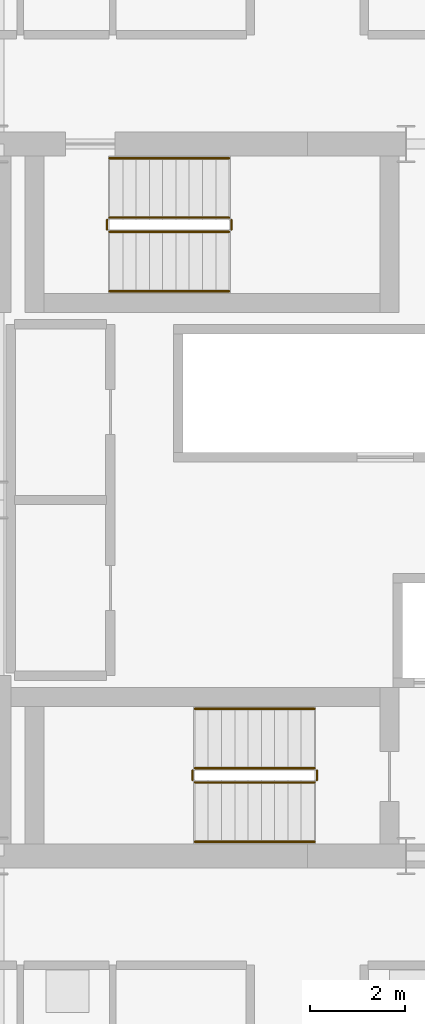
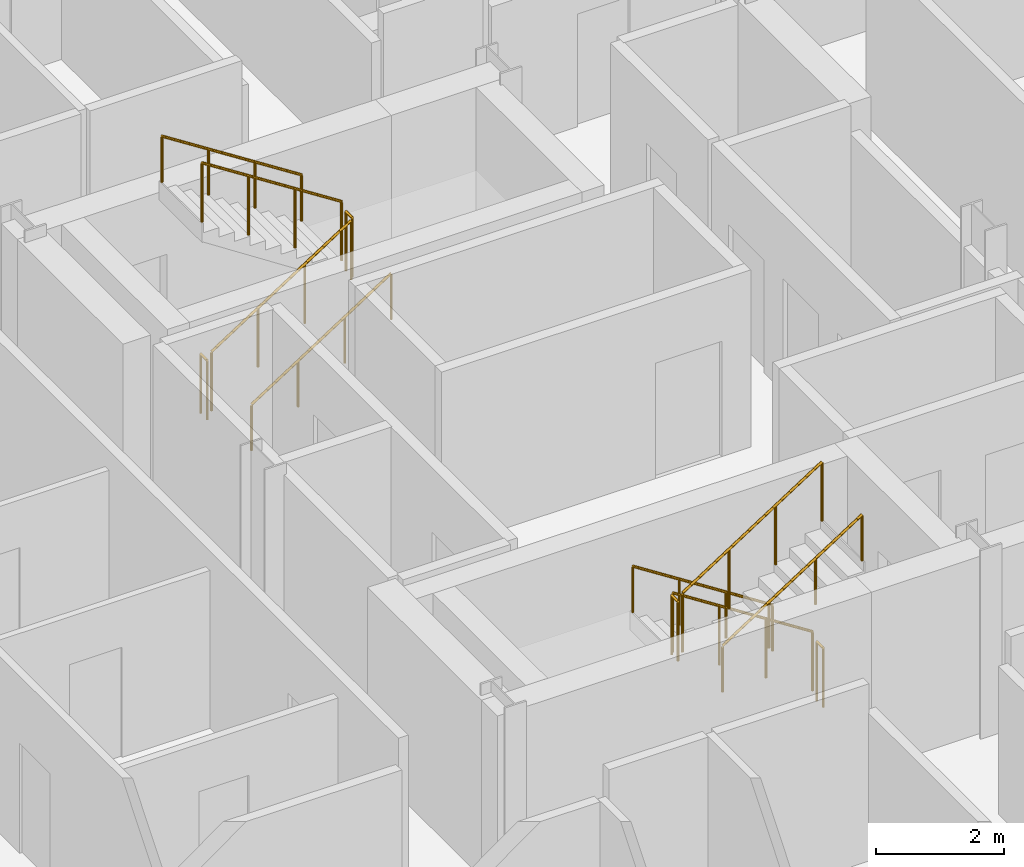
# One storey, part 23 of 24: 12 railings.
"""IFC4 building model written with IfcOpenShell, lengths in metres."""

from ifc_helpers import new_model, si_unit, direction, frame, origin, origin_2d, place, context, subcontext, project, spatial, circle, extrude, material, type_object, element, save


model = new_model("IFC4")

# Units and contexts
model_context = context("Model", 3, precision=1e-05, world=origin(), true_north=direction((0.0, 1.0)))
body_context = subcontext(model_context, "Body", "Model", "MODEL_VIEW")
ifc_project = project(units=[si_unit("LENGTHUNIT", "METRE"), si_unit("AREAUNIT", "SQUARE_METRE"), si_unit("VOLUMEUNIT", "CUBIC_METRE"), si_unit("PLANEANGLEUNIT", "RADIAN"), si_unit("MASSUNIT", "GRAM", prefix="KILO")], contexts=[model_context])

# Site, building, storey
site_placement = place(None, origin())
site = spatial("IfcSite", under=ifc_project, at=site_placement, CompositionType="ELEMENT")
building_placement = place(site_placement, origin())
building = spatial("IfcBuilding", under=site, at=building_placement, Name="Barlavira Tower and Art Museum", CompositionType="ELEMENT")
storey_placement = place(building_placement, frame((0.0, 0.0, 169.199951171875)))
storey = spatial("IfcBuildingStorey", under=building, at=storey_placement, Name="L43", CompositionType="ELEMENT", Elevation=169.199951171875)

# Railings
ifc_material = material(Name="Brushed stainless steel", Category="steel")
railing_type_1 = type_object("IfcRailingType", Name="Interior Void and Landing Guard Railing 1150", PredefinedType="GUARDRAIL", material=ifc_material)
railing_1_placement = place(storey_placement, frame((0.14990234375, -5.64990234375, 0.179931640625)))
element("IfcRailing", 1, at=railing_1_placement, inside=storey, type_object=railing_type_1, Name="L43 ST-T1 stair guard 1", PredefinedType="GUARDRAIL", context=body_context, shape_type="SweptSolid", body=[
    extrude(circle(Radius=0.02392578125, at=origin_2d()), frame((0.0, 0.0, 1.1259765625), z_axis=(-0.841162588446, 0.0, 0.540782303519), x_axis=(0.0, -1.0, 0.0)), (0.0, 0.0, 1.0), 2.995849609375),
    extrude(circle(Radius=0.02099609375, at=origin_2d()), origin(), (0.0, 0.0, 1.0), 1.101806640625),
    extrude(circle(Radius=0.02099609375, at=origin_2d()), frame((-0.840087890625, 0.0, 0.5400390625)), (0.0, 0.0, 1.0), 1.101806640625),
    extrude(circle(Radius=0.02099609375, at=origin_2d()), frame((-1.679931640625, 0.0, 1.080078125)), (0.0, 0.0, 1.0), 1.101806640625),
    extrude(circle(Radius=0.02099609375, at=origin_2d()), frame((-2.52001953125, 0.0, 1.6201171875)), (0.0, 0.0, 1.0), 1.101806640625),
])
railing_2_placement = place(storey_placement, frame((-2.419921875, -5.699951171875, 1.800048828125)))
element("IfcRailing", 2, at=railing_2_placement, inside=storey, type_object=railing_type_1, Name="L43 ST-T1 stair guard 2", PredefinedType="GUARDRAIL", context=body_context, shape_type="SweptSolid", body=[
    extrude(circle(Radius=0.02392578125, at=origin_2d()), frame((0.0, 0.0, 1.1259765625), z_axis=(0.0, -1.0, 0.0), x_axis=(1.0, 0.0, 0.0)), (0.0, 0.0, 1.0), 0.199951171875),
    extrude(circle(Radius=0.02099609375, at=origin_2d()), origin(), (0.0, 0.0, 1.0), 1.101806640625),
    extrude(circle(Radius=0.02099609375, at=origin_2d()), frame((0.0, -0.199951171875, 0.0)), (0.0, 0.0, 1.0), 1.101806640625),
])
railing_3_placement = place(storey_placement, frame((-2.3701171875, -5.949951171875, 1.97998046875)))
element("IfcRailing", 3, at=railing_3_placement, inside=storey, type_object=railing_type_1, Name="L43 ST-T1 stair guard 3", PredefinedType="GUARDRAIL", context=body_context, shape_type="SweptSolid", body=[
    extrude(circle(Radius=0.02392578125, at=origin_2d()), frame((0.0, 0.0, 1.1259765625), z_axis=(0.841162588446, 0.0, 0.540782303519), x_axis=(0.0, 1.0, 0.0)), (0.0, 0.0, 1.0), 2.995849609375),
    extrude(circle(Radius=0.02099609375, at=origin_2d()), origin(), (0.0, 0.0, 1.0), 1.101806640625),
    extrude(circle(Radius=0.02099609375, at=origin_2d()), frame((0.840087890625, 0.0, 0.5400390625)), (0.0, 0.0, 1.0), 1.101806640625),
    extrude(circle(Radius=0.02099609375, at=origin_2d()), frame((1.679931640625, 0.0, 1.080078125)), (0.0, 0.0, 1.0), 1.101806640625),
    extrude(circle(Radius=0.02099609375, at=origin_2d()), frame((2.52001953125, 0.0, 1.6201171875)), (0.0, 0.0, 1.0), 1.101806640625),
])
railing_4_placement = place(storey_placement, frame((0.199951171875, -5.699951171875, 0.0)))
element("IfcRailing", 4, at=railing_4_placement, inside=storey, type_object=railing_type_1, Name="L43 ST-T1 stair guard 4", PredefinedType="GUARDRAIL", context=body_context, shape_type="SweptSolid", body=[
    extrude(circle(Radius=0.02392578125, at=origin_2d()), frame((0.0, 0.0, 1.1259765625), z_axis=(0.0, -1.0, 0.0), x_axis=(1.0, 0.0, 0.0)), (0.0, 0.0, 1.0), 0.199951171875),
    extrude(circle(Radius=0.02099609375, at=origin_2d()), origin(), (0.0, 0.0, 1.0), 1.101806640625),
    extrude(circle(Radius=0.02099609375, at=origin_2d()), frame((0.0, -0.199951171875, 0.0)), (0.0, 0.0, 1.0), 1.101806640625),
])
railing_5_placement = place(storey_placement, frame((-4.169921875, 5.64990234375, 0.179931640625)))
element("IfcRailing", 5, at=railing_5_placement, inside=storey, type_object=railing_type_1, Name="L43 ST-T2 stair guard 1", PredefinedType="GUARDRAIL", context=body_context, shape_type="SweptSolid", body=[
    extrude(circle(Radius=0.02392578125, at=origin_2d()), frame((0.0, 0.0, 1.1259765625), z_axis=(0.841162588446, 0.0, 0.540782303519), x_axis=(0.0, 1.0, 0.0)), (0.0, 0.0, 1.0), 2.995849609375),
    extrude(circle(Radius=0.02099609375, at=origin_2d()), origin(), (0.0, 0.0, 1.0), 1.101806640625),
    extrude(circle(Radius=0.02099609375, at=origin_2d()), frame((0.840087890625, 0.0, 0.5400390625)), (0.0, 0.0, 1.0), 1.101806640625),
    extrude(circle(Radius=0.02099609375, at=origin_2d()), frame((1.679931640625, 0.0, 1.080078125)), (0.0, 0.0, 1.0), 1.101806640625),
    extrude(circle(Radius=0.02099609375, at=origin_2d()), frame((2.52001953125, 0.0, 1.6201171875)), (0.0, 0.0, 1.0), 1.101806640625),
])
railing_6_placement = place(storey_placement, frame((-1.60009765625, 5.699951171875, 1.800048828125)))
element("IfcRailing", 6, at=railing_6_placement, inside=storey, type_object=railing_type_1, Name="L43 ST-T2 stair guard 2", PredefinedType="GUARDRAIL", context=body_context, shape_type="SweptSolid", body=[
    extrude(circle(Radius=0.02392578125, at=origin_2d()), frame((0.0, 0.0, 1.1259765625), z_axis=(0.0, 1.0, 0.0), x_axis=(-1.0, 0.0, 0.0)), (0.0, 0.0, 1.0), 0.199951171875),
    extrude(circle(Radius=0.02099609375, at=origin_2d()), origin(), (0.0, 0.0, 1.0), 1.101806640625),
    extrude(circle(Radius=0.02099609375, at=origin_2d()), frame((0.0, 0.199951171875, 0.0)), (0.0, 0.0, 1.0), 1.101806640625),
])
railing_7_placement = place(storey_placement, frame((-1.64990234375, 5.949951171875, 1.97998046875)))
element("IfcRailing", 7, at=railing_7_placement, inside=storey, type_object=railing_type_1, Name="L43 ST-T2 stair guard 3", PredefinedType="GUARDRAIL", context=body_context, shape_type="SweptSolid", body=[
    extrude(circle(Radius=0.02392578125, at=origin_2d()), frame((0.0, 0.0, 1.1259765625), z_axis=(-0.841162588446, 0.0, 0.540782303519), x_axis=(0.0, -1.0, 0.0)), (0.0, 0.0, 1.0), 2.995849609375),
    extrude(circle(Radius=0.02099609375, at=origin_2d()), origin(), (0.0, 0.0, 1.0), 1.101806640625),
    extrude(circle(Radius=0.02099609375, at=origin_2d()), frame((-0.840087890625, 0.0, 0.5400390625)), (0.0, 0.0, 1.0), 1.101806640625),
    extrude(circle(Radius=0.02099609375, at=origin_2d()), frame((-1.679931640625, 0.0, 1.080078125)), (0.0, 0.0, 1.0), 1.101806640625),
    extrude(circle(Radius=0.02099609375, at=origin_2d()), frame((-2.52001953125, 0.0, 1.6201171875)), (0.0, 0.0, 1.0), 1.101806640625),
])
railing_8_placement = place(storey_placement, frame((-4.219970703125, 5.699951171875, 0.0)))
element("IfcRailing", 8, at=railing_8_placement, inside=storey, type_object=railing_type_1, Name="L43 ST-T2 stair guard 4", PredefinedType="GUARDRAIL", context=body_context, shape_type="SweptSolid", body=[
    extrude(circle(Radius=0.02392578125, at=origin_2d()), frame((0.0, 0.0, 1.1259765625), z_axis=(0.0, 1.0, 0.0), x_axis=(-1.0, 0.0, 0.0)), (0.0, 0.0, 1.0), 0.199951171875),
    extrude(circle(Radius=0.02099609375, at=origin_2d()), origin(), (0.0, 0.0, 1.0), 1.101806640625),
    extrude(circle(Radius=0.02099609375, at=origin_2d()), frame((0.0, 0.199951171875, 0.0)), (0.0, 0.0, 1.0), 1.101806640625),
])
railing_type_2 = type_object("IfcRailingType", Name="Stair Pitch Tubular Steel Handrail 920", PredefinedType="HANDRAIL", material=ifc_material)
railing_9_placement = place(storey_placement, frame((0.14990234375, -4.39990234375, 0.179931640625)))
element("IfcRailing", 9, at=railing_9_placement, inside=storey, type_object=railing_type_2, Name="L43 ST-T1 stair handrail 1", PredefinedType="HANDRAIL", context=body_context, shape_type="SweptSolid", body=[
    extrude(circle(Radius=0.02392578125, at=origin_2d()), frame((0.0, 0.0, 0.8759765625), z_axis=(-0.841162588446, 0.0, 0.540782303519), x_axis=(0.0, -1.0, 0.0)), (0.0, 0.0, 1.0), 2.995849609375),
    extrude(circle(Radius=0.02099609375, at=origin_2d()), origin(), (0.0, 0.0, 1.0), 0.851806640625),
    extrude(circle(Radius=0.02099609375, at=origin_2d()), frame((-0.840087890625, 0.0, 0.5400390625)), (0.0, 0.0, 1.0), 0.851806640625),
    extrude(circle(Radius=0.02099609375, at=origin_2d()), frame((-1.679931640625, 0.0, 1.080078125)), (0.0, 0.0, 1.0), 0.851806640625),
    extrude(circle(Radius=0.02099609375, at=origin_2d()), frame((-2.52001953125, 0.0, 1.6201171875)), (0.0, 0.0, 1.0), 0.851806640625),
])
for number, where, name in (
    (10, (-2.3701171875, -7.199951171875, 1.97998046875), "L43 ST-T1 stair handrail 2"),
    (11, (-4.169921875, 4.39990234375, 0.179931640625), "L43 ST-T2 stair handrail 1"),
):
    element("IfcRailing", number, at=place(storey_placement, frame(where)), inside=storey, type_object=railing_type_2, Name=name, PredefinedType="HANDRAIL", context=body_context, shape_type="SweptSolid", body=[
        extrude(circle(Radius=0.02392578125, at=origin_2d()), frame((0.0, 0.0, 0.8759765625), z_axis=(0.841162588446, 0.0, 0.540782303519), x_axis=(0.0, 1.0, 0.0)), (0.0, 0.0, 1.0), 2.995849609375),
        extrude(circle(Radius=0.02099609375, at=origin_2d()), origin(), (0.0, 0.0, 1.0), 0.851806640625),
        extrude(circle(Radius=0.02099609375, at=origin_2d()), frame((0.840087890625, 0.0, 0.5400390625)), (0.0, 0.0, 1.0), 0.851806640625),
        extrude(circle(Radius=0.02099609375, at=origin_2d()), frame((1.679931640625, 0.0, 1.080078125)), (0.0, 0.0, 1.0), 0.851806640625),
        extrude(circle(Radius=0.02099609375, at=origin_2d()), frame((2.52001953125, 0.0, 1.6201171875)), (0.0, 0.0, 1.0), 0.851806640625),
    ])
railing_10_placement = place(storey_placement, frame((-1.64990234375, 7.199951171875, 1.97998046875)))
element("IfcRailing", 12, at=railing_10_placement, inside=storey, type_object=railing_type_2, Name="L43 ST-T2 stair handrail 2", PredefinedType="HANDRAIL", context=body_context, shape_type="SweptSolid", body=[
    extrude(circle(Radius=0.02392578125, at=origin_2d()), frame((0.0, 0.0, 0.8759765625), z_axis=(-0.841162588446, 0.0, 0.540782303519), x_axis=(0.0, -1.0, 0.0)), (0.0, 0.0, 1.0), 2.995849609375),
    extrude(circle(Radius=0.02099609375, at=origin_2d()), origin(), (0.0, 0.0, 1.0), 0.851806640625),
    extrude(circle(Radius=0.02099609375, at=origin_2d()), frame((-0.840087890625, 0.0, 0.5400390625)), (0.0, 0.0, 1.0), 0.851806640625),
    extrude(circle(Radius=0.02099609375, at=origin_2d()), frame((-1.679931640625, 0.0, 1.080078125)), (0.0, 0.0, 1.0), 0.851806640625),
    extrude(circle(Radius=0.02099609375, at=origin_2d()), frame((-2.52001953125, 0.0, 1.6201171875)), (0.0, 0.0, 1.0), 0.851806640625),
])

save(model, "model.ifc")
